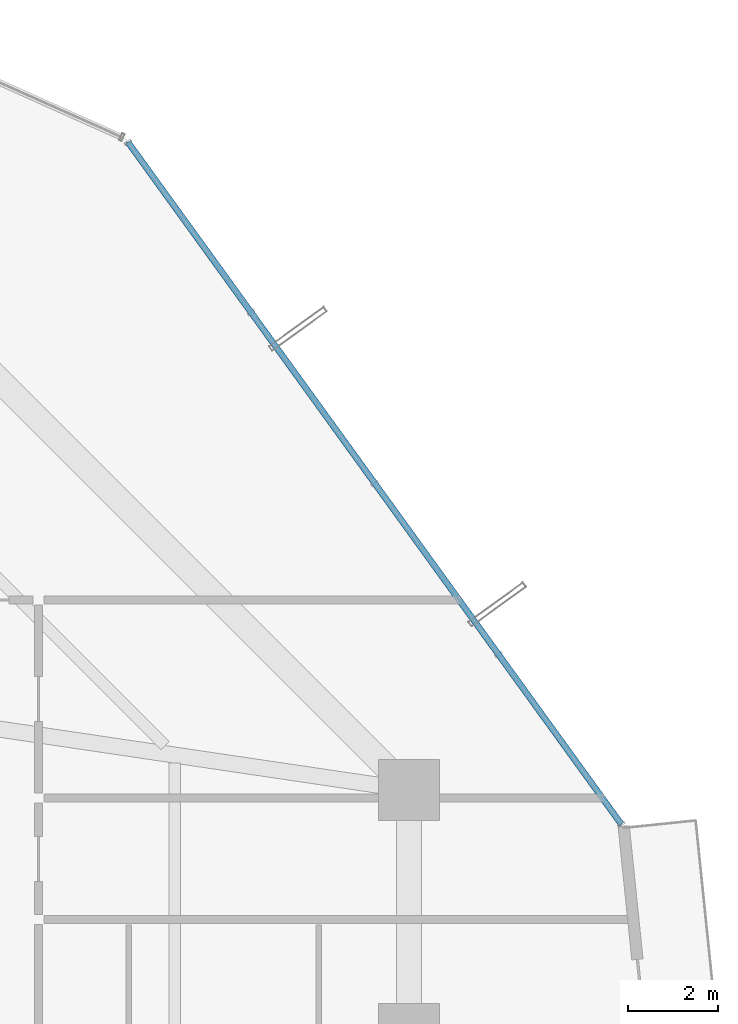
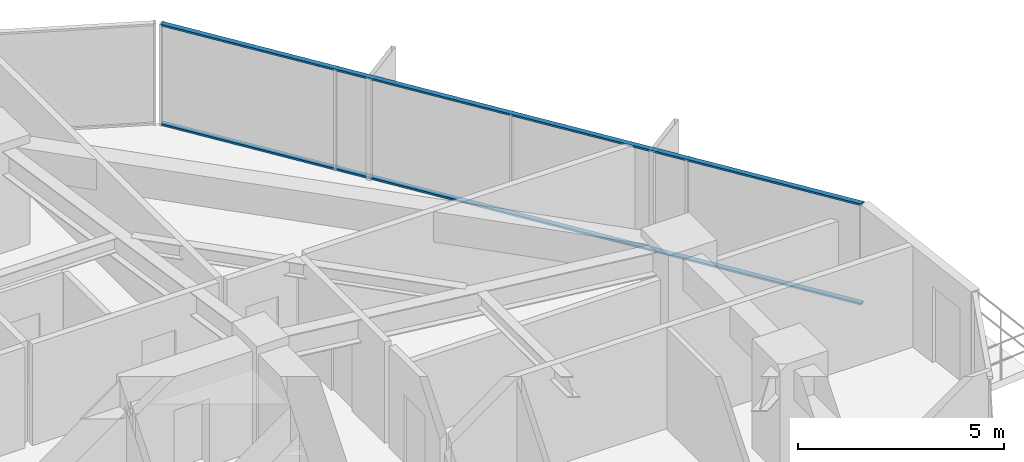
# One storey, part 30 of 37: 2 members, 1 element without a shape of its own.
"""IFC4 building model written with IfcOpenShell, lengths in metres."""

from ifc_helpers import new_model, si_unit, direction, frame, origin, origin_2d, place, context, subcontext, project, spatial, hollow_rectangle, extrude, source, transform, mapped, material, layer, layer_set, material_profile, profile_set, type_object, element, aggregate, save


model = new_model("IFC4")

# Units and contexts
model_context = context("Model", 3, precision=1e-05, world=origin(), true_north=direction((0.0, 1.0)))
body_context = subcontext(model_context, "Body", "Model", "MODEL_VIEW")
ifc_project = project(units=[si_unit("LENGTHUNIT", "METRE"), si_unit("AREAUNIT", "SQUARE_METRE"), si_unit("VOLUMEUNIT", "CUBIC_METRE"), si_unit("PLANEANGLEUNIT", "RADIAN"), si_unit("MASSUNIT", "GRAM", prefix="KILO")], contexts=[model_context])

# Site, building, storey
site_placement = place(None, origin())
site = spatial("IfcSite", under=ifc_project, at=site_placement, CompositionType="ELEMENT")
building_placement = place(site_placement, origin())
building = spatial("IfcBuilding", under=site, at=building_placement, Name="Veraguas Prism Commons", CompositionType="ELEMENT")
storey_placement = place(building_placement, frame((0.0, 0.0, 43.550048828125)))
storey = spatial("IfcBuildingStorey", under=building, at=storey_placement, Name="L11", CompositionType="ELEMENT", Elevation=43.550048828125)

# Curtain wall, members
ifc_material = material(Name="Anodised aluminium EN AW-6063 T6", Category="aluminium")
ifc_layer = layer(ifc_material, 0.169921875, Name="Unitised Flush Curtain Wall Zone 1", Category="aluminium")
ifc_layer_set = layer_set([ifc_layer], Name="Anodised aluminium EN AW-6063 T6")
curtain_wall_type = type_object("IfcCurtainWallType", Name="Unitised Flush Curtain Wall Zone 1", PredefinedType="NOTDEFINED", material=ifc_layer_set)
curtain_wall_placement = place(storey_placement, origin())
curtain_wall = element("IfcCurtainWall", 1, at=curtain_wall_placement, inside=storey, type_object=curtain_wall_type, Name="Tower Facade Curtain Wall L11-F1", PredefinedType="NOTDEFINED")
ifc_material_profile = material_profile(ifc_material, hollow_rectangle(XDim=0.054931640625, YDim=0.135009765625, WallThickness=0.0029296875, at=origin_2d()), Name="AL55X135X3")
ifc_profile_set = profile_set([ifc_material_profile], Name="Anodised aluminium EN AW-6063 T6")
member_type = type_object("IfcMemberType", Name="Curtain Wall Transom Standard AL 55x135x3", PredefinedType="USERDEFINED", material=ifc_profile_set)
shared_shape = source(origin(), body_context, "Body", "SweptSolid", [
    extrude(hollow_rectangle(XDim=0.054931640625, YDim=0.135009765625, WallThickness=0.0029296875, at=origin_2d()), origin(), (0.0, 0.0, 1.0), 18.623779296875),
])
member_1_placement = place(storey_placement, frame((46.298095703125, 28.63671875, 0.02734375), z_axis=(-0.586083898437, 0.810250371177, 0.0), x_axis=(0.0, 0.0, 1.0)))
member_1 = element("IfcMember", 2, at=member_1_placement, type_object=member_type, Name="CW-Z1 Transom 1", ObjectType="TRANSOM", PredefinedType="USERDEFINED", context=body_context, shape_type="MappedRepresentation", body=[
    mapped(shared_shape, transform((0.0, 0.0, 0.0), scale=1.0)),
])
member_2_placement = place(storey_placement, frame((46.298095703125, 28.63671875, 2.972412109375), z_axis=(-0.586083898437, 0.810250371177, 0.0), x_axis=(0.0, 0.0, 1.0)))
member_2 = element("IfcMember", 3, at=member_2_placement, type_object=member_type, Name="CW-Z1 Transom 2", ObjectType="TRANSOM", PredefinedType="USERDEFINED", context=body_context, shape_type="MappedRepresentation", body=[
    mapped(shared_shape, transform((0.0, 0.0, 0.0), scale=1.0)),
])
aggregate(curtain_wall, [member_1, member_2])

save(model, "model.ifc")
